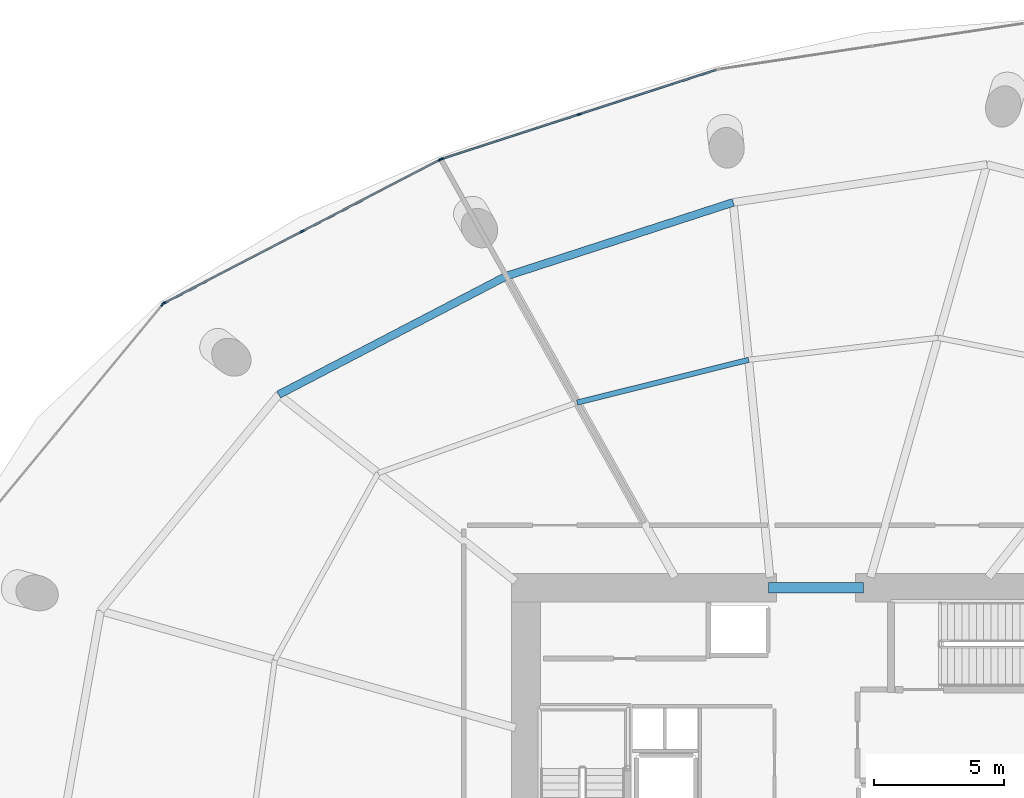
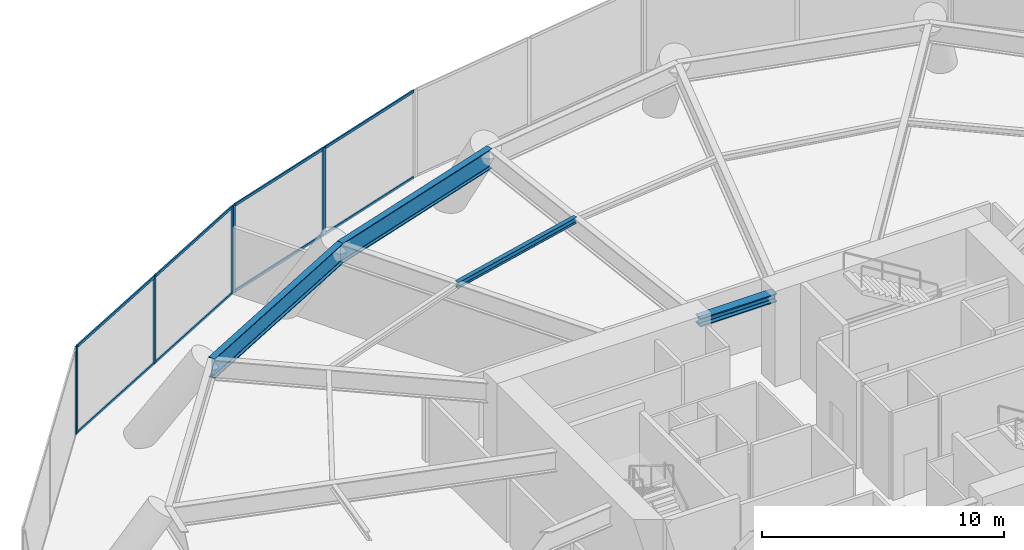
# One storey, part 12 of 21: 14 members, 4 beams, 3 elements without a shape of their own.
"""IFC4 building model written with IfcOpenShell, lengths in metres."""

import ifcopenshell
import ifcopenshell.guid

model = None  # the IFC model being written
_history = None  # IfcOwnerHistory: only IFC2X3 demands one
_inside = {}  # id of a spatial element -> (the spatial element, [elements in it])
_under = {}  # id of a project, library or spatial element -> (it, [spatial elements below it])
_declared = {}  # id of a project -> (the project, [libraries it declares])
_typed = {}  # id of a type object -> (the type object, [elements of that type])
_made_of = {}  # id of a material, layer set ... -> (it, [elements and type objects made of it])


def new_model(schema):
    """Start an empty IFC model of exactly this schema.

    Asked for "IFC4X3", IfcOpenShell would pick the latest addendum, in which some entities
    have other attributes; the version numbers below select the first issue.
    IFC2X3 requires an IfcOwnerHistory on every rooted entity: one is made here for all.
    """
    global model, _history
    if schema == "IFC4X3":
        model = ifcopenshell.file(schema_version=(4, 3, 0, 0))
    else:
        model = ifcopenshell.file(schema=schema)
    _inside.clear()
    _under.clear()
    _declared.clear()
    _typed.clear()
    _made_of.clear()
    _history = None
    if model.schema == "IFC2X3":
        org = make("IfcOrganization", Name="unknown")
        user = make(
            "IfcPersonAndOrganization",
            ThePerson=make("IfcPerson", FamilyName="unknown"),
            TheOrganization=org,
        )
        app = make(
            "IfcApplication",
            ApplicationDeveloper=org,
            Version="unknown",
            ApplicationFullName="unknown",
            ApplicationIdentifier="unknown",
        )
        _history = make(
            "IfcOwnerHistory",
            OwningUser=user,
            OwningApplication=app,
            ChangeAction="ADDED",
            CreationDate=0,
        )
    return model


def make(cls, **values):
    """One entity of the class cls with the attributes given. An attribute that is None is left unset."""
    return model.create_entity(
        cls, **{name: value for name, value in values.items() if value is not None}
    )


def rooted(cls, **values):
    """An entity with a GlobalId (a new one), such as an element, a storey or a relation."""
    return make(cls, GlobalId=ifcopenshell.guid.new(), OwnerHistory=_history, **values)


def si_unit(unit_type, name, prefix=None):
    """IfcSIUnit, for example si_unit("LENGTHUNIT", "METRE", prefix="MILLI")."""
    return make("IfcSIUnit", UnitType=unit_type, Prefix=prefix, Name=name)


def assignment(units):
    """IfcUnitAssignment: the units of a project."""
    return None if units is None else make("IfcUnitAssignment", Units=units)


def point(xyz):
    """IfcCartesianPoint."""
    return None if xyz is None else make("IfcCartesianPoint", Coordinates=xyz)


def direction(xyz):
    """IfcDirection."""
    return None if xyz is None else make("IfcDirection", DirectionRatios=xyz)


def frame(location, z_axis=None, x_axis=None):
    """IfcAxis2Placement3D, a coordinate frame: its origin and axes. An axis left out is left unset."""
    return make(
        "IfcAxis2Placement3D",
        Location=point(location),
        Axis=direction(z_axis),
        RefDirection=direction(x_axis),
    )


def frame_2d(location, x_axis=None):
    """IfcAxis2Placement2D, a coordinate frame in the plane: its origin and x axis."""
    return make(
        "IfcAxis2Placement2D", Location=point(location), RefDirection=direction(x_axis)
    )


def origin():
    """The frame at (0, 0, 0) with its axes left unset."""
    return frame((0.0, 0.0, 0.0))


def origin_2d():
    """The frame at (0, 0) in the plane with its x axis left unset."""
    return frame_2d((0.0, 0.0))


def place(relative_to, where):
    """IfcLocalPlacement: puts the frame where relative to a parent placement (None: the world)."""
    return make(
        "IfcLocalPlacement", PlacementRelTo=relative_to, RelativePlacement=where
    )


def context(
    kind, dimensions, precision=None, world=None, true_north=None, identifier=None
):
    """IfcGeometricRepresentationContext, for example the 3D "Model" context."""
    return make(
        "IfcGeometricRepresentationContext",
        ContextIdentifier=identifier,
        ContextType=kind,
        CoordinateSpaceDimension=dimensions,
        Precision=precision,
        WorldCoordinateSystem=world,
        TrueNorth=true_north,
    )


def subcontext(parent, identifier, kind, view, scale=None):
    """IfcGeometricRepresentationSubContext, for example "Body" below "Model"."""
    return make(
        "IfcGeometricRepresentationSubContext",
        ContextIdentifier=identifier,
        ContextType=kind,
        ParentContext=parent,
        TargetScale=scale,
        TargetView=view,
    )


def project(units=None, contexts=None):
    """IfcProject with its units and contexts."""
    return rooted(
        "IfcProject",
        Name="project",
        RepresentationContexts=contexts,
        UnitsInContext=assignment(units),
    )


def spatial(cls, under=None, at=None, **own):
    """A site, building, storey or space (cls), placed at a placement, below another one or the project."""
    s = rooted(cls, ObjectPlacement=at, **own)
    if under is not None:
        _under.setdefault(under.id(), (under, []))[1].append(s)
    return s


def profile(cls, at=None, kind="AREA", **sizes):
    """A parametric profile (cls). Its sizes go by their IFC names, for example OverallWidth=200.0."""
    return make(cls, ProfileType=kind, Position=at, **sizes)


def rectangle(**sizes):
    """IfcRectangleProfileDef."""
    return profile("IfcRectangleProfileDef", **sizes)


def i_section(**sizes):
    """IfcIShapeProfileDef."""
    return profile("IfcIShapeProfileDef", **sizes)


def extrude(swept, where, along, depth):
    """IfcExtrudedAreaSolid: the profile swept, set in the frame where, extruded along a direction by depth."""
    return make(
        "IfcExtrudedAreaSolid",
        SweptArea=swept,
        Position=where,
        ExtrudedDirection=direction(along),
        Depth=depth,
    )


def shape(context_of_items, identifier, shape_type, items):
    """IfcShapeRepresentation: the items that make up one representation, for example the "Body"."""
    return make(
        "IfcShapeRepresentation",
        ContextOfItems=context_of_items,
        RepresentationIdentifier=identifier,
        RepresentationType=shape_type,
        Items=items,
    )


def material(Name=None, Category=None):
    """IfcMaterial."""
    return make("IfcMaterial", Name=Name, Category=Category)


def layer(
    of_material, thickness, ventilated=None, Name=None, Category=None, Priority=None
):
    """IfcMaterialLayer: one layer of a wall or slab, of a material (None: an air gap)."""
    return make(
        "IfcMaterialLayer",
        Material=of_material,
        LayerThickness=thickness,
        IsVentilated=ventilated,
        Name=Name,
        Category=Category,
        Priority=Priority,
    )


def layer_set(layers, Name=None):
    """IfcMaterialLayerSet."""
    return make("IfcMaterialLayerSet", MaterialLayers=layers, LayerSetName=Name)


def material_profile(
    of_material, cross_section, Name=None, Category=None, Priority=None
):
    """IfcMaterialProfile: a cross section and its material."""
    return make(
        "IfcMaterialProfile",
        Name=Name,
        Material=of_material,
        Profile=cross_section,
        Priority=Priority,
        Category=Category,
    )


def profile_set(profiles, Name=None, composite=None):
    """IfcMaterialProfileSet."""
    return make(
        "IfcMaterialProfileSet",
        Name=Name,
        MaterialProfiles=profiles,
        CompositeProfile=composite,
    )


def made_of(thing, what):
    """Note that an element or type object is made of a material, layer set ...; save() writes the relation."""
    if what is not None:
        _made_of.setdefault(what.id(), (what, []))[1].append(thing)
    return thing


def type_object(cls, material=None, **own):
    """A type object (cls), such as IfcWallType, which elements share."""
    return made_of(rooted(cls, **own), material)


def element(
    cls,
    number,
    at=None,
    inside=None,
    cuts=None,
    type_object=None,
    material=None,
    context=None,
    identifier="Body",
    shape_type=None,
    held_by="IfcProductDefinitionShape",
    body=None,
    shapes=None,
    **own,
):
    """One element of the class cls, such as IfcWall. Its Tag is "e" and its number.

    at: its placement. inside: the storey or other place that contains it. cuts: it is an
    opening in that element (IfcRelVoidsElement). A single representation is given by context,
    identifier, shape_type and body (its items); several are given by shapes. held_by: the class
    of the entity that holds the representations. save() writes the other relations.
    """
    e = rooted(cls, Tag="e%d" % number, ObjectPlacement=at, **own)
    if body is not None:
        shapes = [shape(context, identifier, shape_type, body)]
    if shapes is not None:
        e.Representation = make(held_by, Representations=shapes)
    if inside is not None:
        _inside.setdefault(inside.id(), (inside, []))[1].append(e)
    if cuts is not None:
        rooted(
            "IfcRelVoidsElement", RelatingBuildingElement=cuts, RelatedOpeningElement=e
        )
    if type_object is not None:
        _typed.setdefault(type_object.id(), (type_object, []))[1].append(e)
    return made_of(e, material)


def aggregate(whole, parts):
    """IfcRelAggregates: a whole, such as a stair, and the parts it consists of."""
    return rooted("IfcRelAggregates", RelatingObject=whole, RelatedObjects=parts)


def save(model, path):
    """Write the relations noted so far, then the file.

    IfcRelAggregates (storeys below a building ...), IfcRelContainedInSpatialStructure (elements
    in a storey), IfcRelDefinesByType, IfcRelAssociatesMaterial and IfcRelDeclares: one each for
    every whole, place, type object, material and project.
    """
    for whole, parts in _under.values():
        aggregate(whole, parts)
    for where, things in _inside.values():
        rooted(
            "IfcRelContainedInSpatialStructure",
            RelatedElements=things,
            RelatingStructure=where,
        )
    for kind, things in _typed.values():
        rooted("IfcRelDefinesByType", RelatedObjects=things, RelatingType=kind)
    for what, things in _made_of.values():
        rooted("IfcRelAssociatesMaterial", RelatedObjects=things, RelatingMaterial=what)
    for by, libraries in _declared.values():
        rooted("IfcRelDeclares", RelatingContext=by, RelatedDefinitions=libraries)
    model.write(path)


model = new_model("IFC4")

# Units and contexts
model_context = context("Model", 3, precision=1e-05, world=origin(), true_north=direction((0.0, 1.0)))
body_context = subcontext(model_context, "Body", "Model", "MODEL_VIEW")
ifc_project = project(units=[si_unit("LENGTHUNIT", "METRE"), si_unit("AREAUNIT", "SQUARE_METRE"), si_unit("VOLUMEUNIT", "CUBIC_METRE"), si_unit("PLANEANGLEUNIT", "RADIAN"), si_unit("MASSUNIT", "GRAM", prefix="KILO")], contexts=[model_context])

# Site, building, storey
site_placement = place(None, origin())
site = spatial("IfcSite", under=ifc_project, at=site_placement, CompositionType="ELEMENT")
building_placement = place(site_placement, origin())
building = spatial("IfcBuilding", under=site, at=building_placement, Name="Kazma Halo Residences", CompositionType="ELEMENT")
storey_placement = place(building_placement, frame((0.0, 0.0, 21.60009765625)))
storey = spatial("IfcBuildingStorey", under=building, at=storey_placement, Name="L04", CompositionType="ELEMENT", Elevation=21.60009765625)

# Beams
ifc_material_1 = material(Name="Steel S355", Category="steel")
ifc_material_profile_1 = material_profile(ifc_material_1, i_section(OverallWidth=0.408935546875, OverallDepth=0.425048828125, WebThickness=0.03271484375, FlangeThickness=0.052490234375, FilletRadius=0.02001953125, at=origin_2d()), Name="W360x421")
ifc_profile_set_1 = profile_set([ifc_material_profile_1], Name="Steel S355")
beam_type_1 = type_object("IfcBeamType", Name="BM-CORE-W360H", PredefinedType="BEAM", material=ifc_profile_set_1)
beam_1_placement = place(storey_placement, frame((46.60009765625, 50.550048828125, 4.1875), z_axis=(1.0, 0.0, 0.0), x_axis=(0.0, 1.0, 0.0)))
element("IfcBeam", 1, at=beam_1_placement, inside=storey, type_object=beam_type_1, Name="L04 core coupling beam N", PredefinedType="BEAM", context=body_context, shape_type="SweptSolid", body=[
    extrude(i_section(OverallWidth=0.408935546875, OverallDepth=0.425048828125, WebThickness=0.03271484375, FlangeThickness=0.052490234375, FilletRadius=0.02001953125, at=origin_2d()), origin(), (0.0, 0.0, 1.0), 3.64990234375),
])
ifc_material_profile_2 = material_profile(ifc_material_1, i_section(OverallWidth=0.202880859375, OverallDepth=0.302978515625, WebThickness=0.007568359375, FlangeThickness=0.01318359375, FilletRadius=0.013916015625, at=origin_2d()), Name="W310x60")
ifc_profile_set_2 = profile_set([ifc_material_profile_2], Name="Steel S355")
beam_type_2 = type_object("IfcBeamType", Name="BM-SEC-W310A", PredefinedType="JOIST", material=ifc_profile_set_2)
beam_2_placement = place(storey_placement, frame((45.827392578125, 59.324951171875, 4.248291015625), z_axis=(-0.970300470576, -0.241902866459, 0.0), x_axis=(0.241902866459, -0.970300470576, 0.0)))
element("IfcBeam", 2, at=beam_2_placement, inside=storey, type_object=beam_type_2, Name="L04 circumferential floor joist 04", PredefinedType="JOIST", context=body_context, shape_type="SweptSolid", body=[
    extrude(i_section(OverallWidth=0.202880859375, OverallDepth=0.302978515625, WebThickness=0.007568359375, FlangeThickness=0.01318359375, FilletRadius=0.013916015625, at=origin_2d()), origin(), (0.0, 0.0, 1.0), 6.809326171875),
])
ifc_material_profile_3 = material_profile(ifc_material_1, i_section(OverallWidth=0.300048828125, OverallDepth=1.0, WebThickness=0.01904296875, FlangeThickness=0.0400390625, FilletRadius=0.02587890625, at=origin_2d()), Name="W1000x371")
ifc_profile_set_3 = profile_set([ifc_material_profile_3], Name="Steel S355")
beam_type_3 = type_object("IfcBeamType", Name="BM-TRANS-W1000B", PredefinedType="BEAM", material=ifc_profile_set_3)
beam_3_placement = place(storey_placement, frame((45.231689453125, 65.389404296875, 3.89990234375), z_axis=(-0.951054956346, -0.309021795363, 0.0), x_axis=(0.309021795363, -0.951054956346, 0.0)))
element("IfcBeam", 3, at=beam_3_placement, inside=storey, type_object=beam_type_3, Name="L04 perimeter ring beam 04", PredefinedType="BEAM", context=body_context, shape_type="SweptSolid", body=[
    extrude(i_section(OverallWidth=0.300048828125, OverallDepth=1.0, WebThickness=0.01904296875, FlangeThickness=0.0400390625, FilletRadius=0.02587890625, at=origin_2d()), origin(), (0.0, 0.0, 1.0), 9.189697265625),
])
beam_4_placement = place(storey_placement, frame((36.49169921875, 62.549560546875, 3.89990234375), z_axis=(-0.886956241699, -0.461853467358, 0.0), x_axis=(0.461853467358, -0.886956241699, 0.0)))
element("IfcBeam", 4, at=beam_4_placement, inside=storey, type_object=beam_type_3, Name="L04 perimeter ring beam 05", PredefinedType="BEAM", context=body_context, shape_type="SweptSolid", body=[
    extrude(i_section(OverallWidth=0.300048828125, OverallDepth=1.0, WebThickness=0.01904296875, FlangeThickness=0.0400390625, FilletRadius=0.02587890625, at=origin_2d()), origin(), (0.0, 0.0, 1.0), 9.885009765625),
])

# Curtain wall, members
ifc_material_2 = material(Name="Aluminium AW-6063 T6 and Triple-Silver Low-E Glass", Category="aluminium")
ifc_layer = layer(ifc_material_2, 0.179931640625)
ifc_layer_set = layer_set([ifc_layer], Name="Aluminium AW-6063 T6 and Triple-Silver Low-E Glass")
curtain_wall_type = type_object("IfcCurtainWallType", Name="CW-SYS-1", PredefinedType="NOTDEFINED", material=ifc_layer_set)
curtain_wall_1_placement = place(storey_placement, origin())
curtain_wall_1 = element("IfcCurtainWall", 5, at=curtain_wall_1_placement, inside=storey, type_object=curtain_wall_type, Name="L04 unitised curtain wall B04", PredefinedType="NOTDEFINED")
ifc_material_3 = material(Name="Aluminium AW-6063 T6", Category="aluminium")
ifc_material_profile_4 = material_profile(ifc_material_3, rectangle(XDim=0.06494140625, YDim=0.179931640625, at=origin_2d()), Name="CWM-65x180")
ifc_profile_set_4 = profile_set([ifc_material_profile_4], Name="Aluminium AW-6063 T6")
member_type_1 = type_object("IfcMemberType", Name="CW-SYS-1-MUL", PredefinedType="MULLION", material=ifc_profile_set_4)
member_1_placement = place(storey_placement, frame((39.298828125, 68.77978515625, 0.0), z_axis=(0.0, 0.0, 1.0), x_axis=(0.309017239211, -0.951056436743, 0.0)))
member_1 = element("IfcMember", 6, at=member_1_placement, type_object=member_type_1, Name="CWS-1 mullion 2", PredefinedType="MULLION", context=body_context, shape_type="SweptSolid", body=[
    extrude(rectangle(XDim=0.06494140625, YDim=0.179931640625, at=origin_2d()), origin(), (0.0, 0.0, 1.0), 4.39990234375),
])
member_2_placement = place(storey_placement, frame((34.0029296875, 67.058837890625, 0.0), z_axis=(0.0, 0.0, 1.0), x_axis=(0.309017239211, -0.951056436743, 0.0)))
member_2 = element("IfcMember", 7, at=member_2_placement, type_object=member_type_1, Name="CWS-1 mullion 3", PredefinedType="MULLION", context=body_context, shape_type="SweptSolid", body=[
    extrude(rectangle(XDim=0.06494140625, YDim=0.179931640625, at=origin_2d()), origin(), (0.0, 0.0, 1.0), 4.39990234375),
])

curtain_wall_2_placement = place(storey_placement, origin())
curtain_wall_2 = element("IfcCurtainWall", 8, at=curtain_wall_2_placement, inside=storey, type_object=curtain_wall_type, Name="L04 unitised curtain wall B05", PredefinedType="NOTDEFINED")
member_3_placement = place(storey_placement, frame((33.943115234375, 67.033935546875, 0.0), z_axis=(0.0, 0.0, 1.0), x_axis=(0.46108680311, -0.887355036047, 0.0)))
member_3 = element("IfcMember", 9, at=member_3_placement, type_object=member_type_1, Name="CWS-1 mullion 1", PredefinedType="MULLION", context=body_context, shape_type="SweptSolid", body=[
    extrude(rectangle(XDim=0.06494140625, YDim=0.179931640625, at=origin_2d()), origin(), (0.0, 0.0, 1.0), 4.39990234375),
])
member_4_placement = place(storey_placement, frame((28.623779296875, 64.27001953125, 0.0), z_axis=(0.0, 0.0, 1.0), x_axis=(0.46108680311, -0.887355036047, 0.0)))
member_4 = element("IfcMember", 10, at=member_4_placement, type_object=member_type_1, Name="CWS-1 mullion 2", PredefinedType="MULLION", context=body_context, shape_type="SweptSolid", body=[
    extrude(rectangle(XDim=0.06494140625, YDim=0.179931640625, at=origin_2d()), origin(), (0.0, 0.0, 1.0), 4.39990234375),
])
member_5_placement = place(storey_placement, frame((23.3046875, 61.506103515625, 0.0), z_axis=(0.0, 0.0, 1.0), x_axis=(0.46108680311, -0.887355036047, 0.0)))
member_5 = element("IfcMember", 11, at=member_5_placement, type_object=member_type_1, Name="CWS-1 mullion 3", PredefinedType="MULLION", context=body_context, shape_type="SweptSolid", body=[
    extrude(rectangle(XDim=0.06494140625, YDim=0.179931640625, at=origin_2d()), origin(), (0.0, 0.0, 1.0), 4.39990234375),
])

# Curtain wall, member
curtain_wall_3_placement = place(storey_placement, origin())
curtain_wall_3 = element("IfcCurtainWall", 12, at=curtain_wall_3_placement, inside=storey, type_object=curtain_wall_type, Name="L04 unitised curtain wall B06", PredefinedType="NOTDEFINED")
member_6_placement = place(storey_placement, frame((23.255126953125, 61.4658203125, 0.0), z_axis=(0.0, 0.0, 1.0), x_axis=(0.771191775002, -0.636602895194, 0.0)))
member_6 = element("IfcMember", 13, at=member_6_placement, type_object=member_type_1, Name="CWS-1 mullion 1", PredefinedType="MULLION", context=body_context, shape_type="SweptSolid", body=[
    extrude(rectangle(XDim=0.06494140625, YDim=0.179931640625, at=origin_2d()), origin(), (0.0, 0.0, 1.0), 4.39990234375),
])
aggregate(curtain_wall_3, [member_6])

# Member
ifc_material_profile_5 = material_profile(ifc_material_3, rectangle(XDim=0.06494140625, YDim=0.135009765625, at=origin_2d()), Name="CWT-65x135")
ifc_profile_set_5 = profile_set([ifc_material_profile_5], Name="Aluminium AW-6063 T6")
member_type_2 = type_object("IfcMemberType", Name="CW-SYS-1-TRN", PredefinedType="USERDEFINED", material=ifc_profile_set_5)
member_7_placement = place(storey_placement, frame((44.563720703125, 70.490478515625, 0.032470703125), z_axis=(-0.951055908328, -0.309018865498, 0.0), x_axis=(0.309018865498, -0.951055908328, 0.0)))
member_7 = element("IfcMember", 14, at=member_7_placement, type_object=member_type_2, Name="CWS-1 transom 1.1", ObjectType="TRANSOM", PredefinedType="USERDEFINED", context=body_context, shape_type="SweptSolid", body=[
    extrude(rectangle(XDim=0.06494140625, YDim=0.135009765625, at=origin_2d()), origin(), (0.0, 0.0, 1.0), 5.50341796875),
])

member_8_placement = place(storey_placement, frame((44.563720703125, 70.490478515625, 4.367431640625), z_axis=(-0.951055908328, -0.309018865498, 0.0), x_axis=(0.309018865498, -0.951055908328, 0.0)))
member_8 = element("IfcMember", 15, at=member_8_placement, type_object=member_type_2, Name="CWS-1 transom 1.2", ObjectType="TRANSOM", PredefinedType="USERDEFINED", context=body_context, shape_type="SweptSolid", body=[
    extrude(rectangle(XDim=0.06494140625, YDim=0.135009765625, at=origin_2d()), origin(), (0.0, 0.0, 1.0), 5.50341796875),
])

member_9_placement = place(storey_placement, frame((39.267822265625, 68.769775390625, 0.032470703125), z_axis=(-0.951055908328, -0.309018865498, 0.0), x_axis=(0.309018865498, -0.951055908328, 0.0)))
member_9 = element("IfcMember", 16, at=member_9_placement, type_object=member_type_2, Name="CWS-1 transom 2.1", ObjectType="TRANSOM", PredefinedType="USERDEFINED", context=body_context, shape_type="SweptSolid", body=[
    extrude(rectangle(XDim=0.06494140625, YDim=0.135009765625, at=origin_2d()), origin(), (0.0, 0.0, 1.0), 5.50341796875),
])

member_10_placement = place(storey_placement, frame((39.267822265625, 68.769775390625, 4.367431640625), z_axis=(-0.951055908328, -0.309018865498, 0.0), x_axis=(0.309018865498, -0.951055908328, 0.0)))
member_10 = element("IfcMember", 17, at=member_10_placement, type_object=member_type_2, Name="CWS-1 transom 2.2", ObjectType="TRANSOM", PredefinedType="USERDEFINED", context=body_context, shape_type="SweptSolid", body=[
    extrude(rectangle(XDim=0.06494140625, YDim=0.135009765625, at=origin_2d()), origin(), (0.0, 0.0, 1.0), 5.50341796875),
])

aggregate(curtain_wall_1, [member_1, member_2, member_7, member_8, member_9, member_10])

member_11_placement = place(storey_placement, frame((33.914306640625, 67.01904296875, 0.032470703125), z_axis=(-0.887352259256, -0.461092146966, 0.0), x_axis=(0.461092146966, -0.887352259256, 0.0)))
member_11 = element("IfcMember", 18, at=member_11_placement, type_object=member_type_2, Name="CWS-1 transom 1.1", ObjectType="TRANSOM", PredefinedType="USERDEFINED", context=body_context, shape_type="SweptSolid", body=[
    extrude(rectangle(XDim=0.06494140625, YDim=0.135009765625, at=origin_2d()), origin(), (0.0, 0.0, 1.0), 5.9296875),
])

member_12_placement = place(storey_placement, frame((33.914306640625, 67.01904296875, 4.367431640625), z_axis=(-0.887352259256, -0.461092146966, 0.0), x_axis=(0.461092146966, -0.887352259256, 0.0)))
member_12 = element("IfcMember", 19, at=member_12_placement, type_object=member_type_2, Name="CWS-1 transom 1.2", ObjectType="TRANSOM", PredefinedType="USERDEFINED", context=body_context, shape_type="SweptSolid", body=[
    extrude(rectangle(XDim=0.06494140625, YDim=0.135009765625, at=origin_2d()), origin(), (0.0, 0.0, 1.0), 5.9296875),
])

member_13_placement = place(storey_placement, frame((28.594970703125, 64.2548828125, 0.032470703125), z_axis=(-0.887360351848, -0.461076572781, 0.0), x_axis=(0.461076572781, -0.887360351848, 0.0)))
member_13 = element("IfcMember", 20, at=member_13_placement, type_object=member_type_2, Name="CWS-1 transom 2.1", ObjectType="TRANSOM", PredefinedType="USERDEFINED", context=body_context, shape_type="SweptSolid", body=[
    extrude(rectangle(XDim=0.06494140625, YDim=0.135009765625, at=origin_2d()), origin(), (0.0, 0.0, 1.0), 5.929443359375),
])

member_14_placement = place(storey_placement, frame((28.594970703125, 64.2548828125, 4.367431640625), z_axis=(-0.887360351848, -0.461076572781, 0.0), x_axis=(0.461076572781, -0.887360351848, 0.0)))
member_14 = element("IfcMember", 21, at=member_14_placement, type_object=member_type_2, Name="CWS-1 transom 2.2", ObjectType="TRANSOM", PredefinedType="USERDEFINED", context=body_context, shape_type="SweptSolid", body=[
    extrude(rectangle(XDim=0.06494140625, YDim=0.135009765625, at=origin_2d()), origin(), (0.0, 0.0, 1.0), 5.929443359375),
])

aggregate(curtain_wall_2, [member_3, member_4, member_5, member_11, member_12, member_13, member_14])

save(model, "model.ifc")
